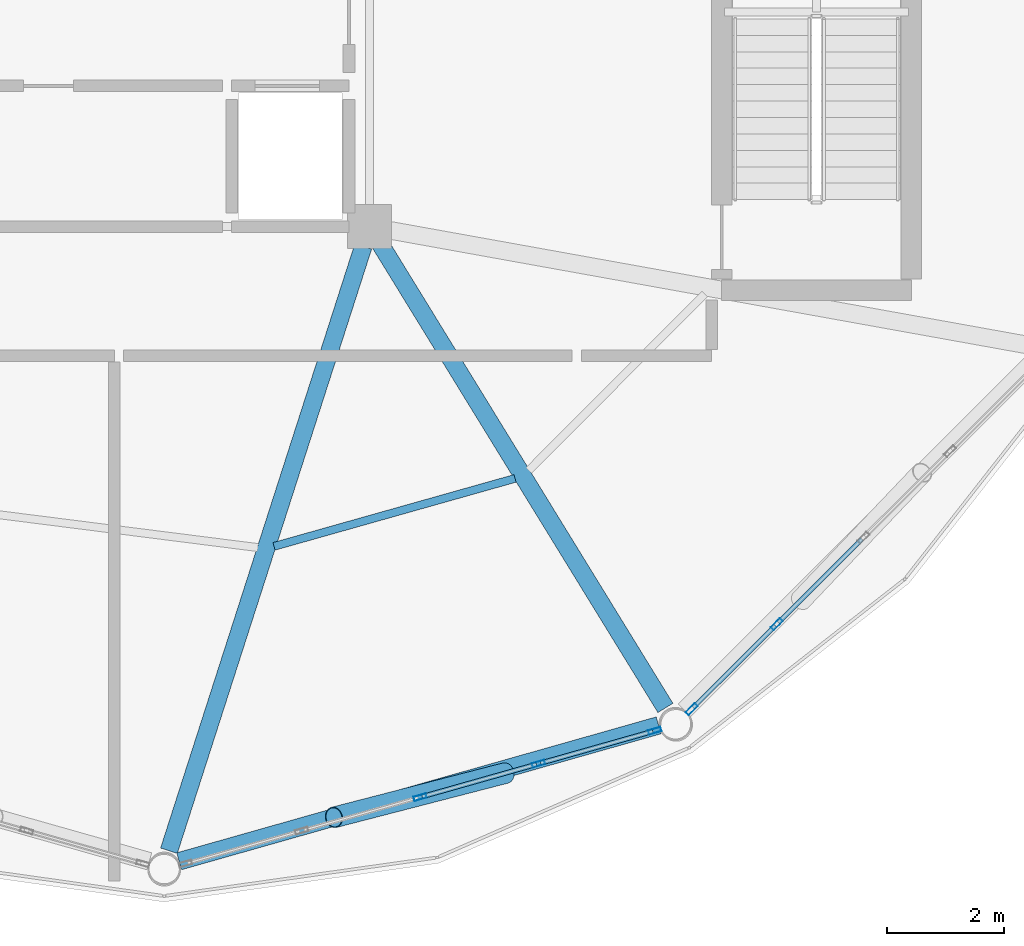
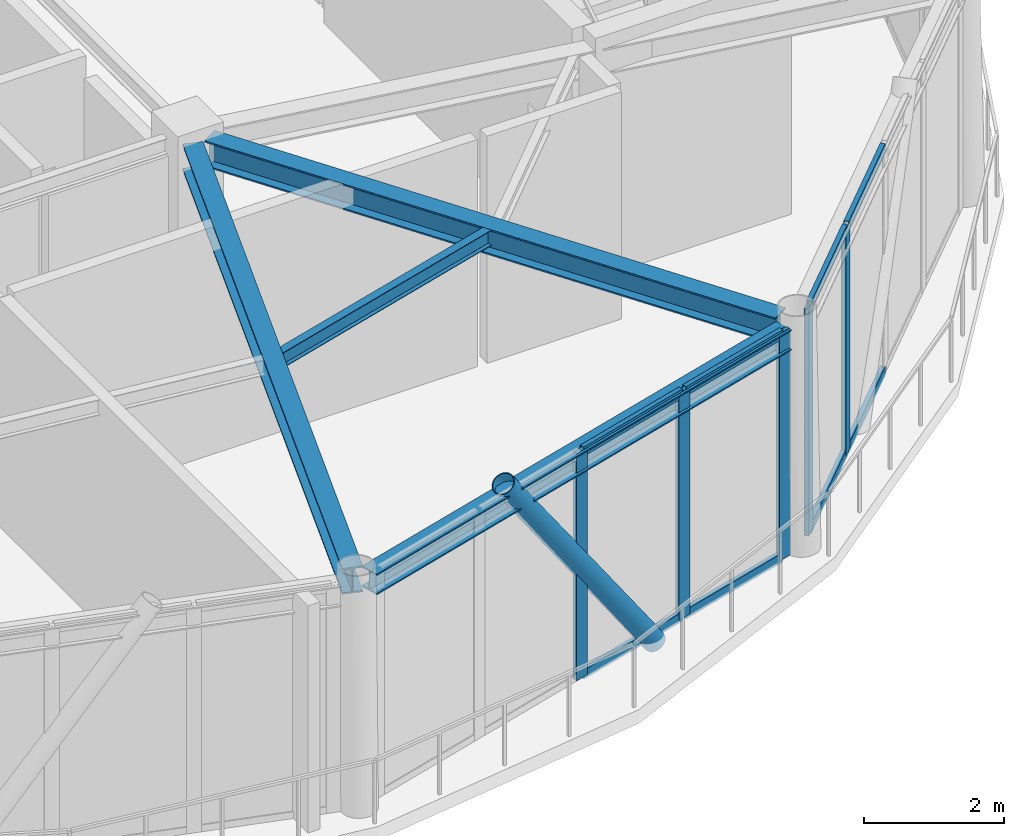
# One storey, part 6 of 21: 14 members, 4 beams, 2 elements without a shape of their own.
"""IFC4 building model written with IfcOpenShell, lengths in metres."""

from ifc_helpers import new_model, si_unit, direction, frame, origin, origin_2d, place, context, subcontext, project, spatial, hollow_rectangle, hollow_circle, i_section, extrude, material, layer, layer_set, material_profile, profile_set, type_object, element, aggregate, save


model = new_model("IFC4")

# Units and contexts
model_context = context("Model", 3, precision=1e-05, world=origin(), true_north=direction((0.0, 1.0)))
body_context = subcontext(model_context, "Body", "Model", "MODEL_VIEW")
ifc_project = project(units=[si_unit("LENGTHUNIT", "METRE"), si_unit("AREAUNIT", "SQUARE_METRE"), si_unit("VOLUMEUNIT", "CUBIC_METRE"), si_unit("PLANEANGLEUNIT", "RADIAN"), si_unit("MASSUNIT", "GRAM", prefix="KILO")], contexts=[model_context])

# Site, building, storey
site_placement = place(None, origin())
site = spatial("IfcSite", under=ifc_project, at=site_placement, CompositionType="ELEMENT")
building_placement = place(site_placement, origin())
building = spatial("IfcBuilding", under=site, at=building_placement, Name="Varnakorn Sky Granary", CompositionType="ELEMENT")
storey_placement = place(building_placement, frame((0.0, 0.0, 298.199951171875)))
storey = spatial("IfcBuildingStorey", under=building, at=storey_placement, Name="L76", CompositionType="ELEMENT", Elevation=298.199951171875)

# Beams
ifc_material_1 = material(Name="Steel S355JR", Category="steel")
ifc_material_profile_1 = material_profile(ifc_material_1, i_section(OverallWidth=0.300048828125, OverallDepth=0.449951171875, WebThickness=0.013916015625, FlangeThickness=0.02587890625, at=origin_2d()), Name="HE 450 B")
ifc_profile_set_1 = profile_set([ifc_material_profile_1], Name="Steel S355JR")
beam_type_1 = type_object("IfcBeamType", Name="BM-RAD-Z5", PredefinedType="BEAM", material=ifc_profile_set_1)
beam_1_placement = place(storey_placement, frame((8.2412109375, -6.93798828125, 3.735107421875), z_axis=(-0.306078597397, -0.952006245891, 0.0), x_axis=(0.952006245891, -0.306078597397, 0.0)))
element("IfcBeam", 1, at=beam_1_placement, inside=storey, type_object=beam_type_1, Name="Radial Floor Girder RG10 L76", PredefinedType="BEAM", context=body_context, shape_type="SweptSolid", body=[
    extrude(i_section(OverallWidth=0.300048828125, OverallDepth=0.449951171875, WebThickness=0.013916015625, FlangeThickness=0.02587890625, at=origin_2d()), origin(), (0.0, 0.0, 1.0), 10.815185546875),
])
beam_2_placement = place(storey_placement, frame((8.535888671875, -6.90234375, 3.735107421875), z_axis=(0.523609553712, -0.851958353009, 0.0), x_axis=(0.851958353009, 0.523609553712, 0.0)))
element("IfcBeam", 2, at=beam_2_placement, inside=storey, type_object=beam_type_1, Name="Radial Floor Girder RG11 L76", PredefinedType="BEAM", context=body_context, shape_type="SweptSolid", body=[
    extrude(i_section(OverallWidth=0.300048828125, OverallDepth=0.449951171875, WebThickness=0.013916015625, FlangeThickness=0.02587890625, at=origin_2d()), origin(), (0.0, 0.0, 1.0), 9.271240234375),
])
ifc_material_profile_2 = material_profile(ifc_material_1, i_section(OverallWidth=0.135009765625, OverallDepth=0.27001953125, WebThickness=0.006591796875, FlangeThickness=0.01025390625, at=origin_2d()), Name="IPE 270")
ifc_profile_set_2 = profile_set([ifc_material_profile_2], Name="Steel S355JR")
beam_type_2 = type_object("IfcBeamType", Name="BM-SEC-Z5", PredefinedType="BEAM", material=ifc_profile_set_2)
beam_3_placement = place(storey_placement, frame((6.720947265625, -12.048095703125, 3.824951171875), z_axis=(0.962457339964, 0.271432991271, 0.0), x_axis=(-0.271432991271, 0.962457339964, 0.0)))
element("IfcBeam", 3, at=beam_3_placement, inside=storey, type_object=beam_type_2, Name="Secondary Floor Chord Beam MSB10 L76", PredefinedType="BEAM", context=body_context, shape_type="SweptSolid", body=[
    extrude(i_section(OverallWidth=0.135009765625, OverallDepth=0.27001953125, WebThickness=0.006591796875, FlangeThickness=0.01025390625, at=origin_2d()), origin(), (0.0, 0.0, 1.0), 4.267822265625),
])
ifc_material_profile_3 = material_profile(ifc_material_1, i_section(OverallWidth=0.300048828125, OverallDepth=0.360107421875, WebThickness=0.012451171875, FlangeThickness=0.0224609375, at=origin_2d()), Name="HE 360 B")
ifc_profile_set_3 = profile_set([ifc_material_profile_3], Name="Steel S355JR")
beam_type_3 = type_object("IfcBeamType", Name="BM-SPD-Z5", PredefinedType="SPANDREL", material=ifc_profile_set_3)
beam_4_placement = place(storey_placement, frame((5.1044921875, -17.413818359375, 3.780029296875), z_axis=(0.962107621006, 0.272669993952, 0.0), x_axis=(-0.272669993952, 0.962107621006, 0.0)))
element("IfcBeam", 4, at=beam_4_placement, inside=storey, type_object=beam_type_3, Name="Perimeter Spandrel Ring Beam RB10 L76", PredefinedType="SPANDREL", context=body_context, shape_type="SweptSolid", body=[
    extrude(i_section(OverallWidth=0.300048828125, OverallDepth=0.360107421875, WebThickness=0.012451171875, FlangeThickness=0.0224609375, at=origin_2d()), origin(), (0.0, 0.0, 1.0), 8.49169921875),
])

# Curtain wall, members
ifc_material_2 = material(Name="Anodised Bronze Aluminium Alloy 6063-T6", Category="aluminium")
ifc_layer = layer(ifc_material_2, 0.22998046875, Name="Anodised Bronze Aluminium Alloy 6063-T6")
ifc_layer_set = layer_set([ifc_layer], Name="Anodised Bronze Aluminium Alloy 6063-T6")
curtain_wall_type = type_object("IfcCurtainWallType", Name="CW-LNT-1", PredefinedType="USERDEFINED", material=ifc_layer_set)
curtain_wall_1_placement = place(storey_placement, origin())
curtain_wall_1 = element("IfcCurtainWall", 5, at=curtain_wall_1_placement, inside=storey, type_object=curtain_wall_type, Name="Unitised Curtain Wall CW7 CW-L76-B10", ObjectType="CURTAIN WALL", PredefinedType="USERDEFINED")
ifc_material_profile_4 = material_profile(ifc_material_2, hollow_rectangle(XDim=0.074951171875, YDim=0.219970703125, WallThickness=0.00390625, at=origin_2d()), Name="ALU MULL 75x220")
ifc_profile_set_4 = profile_set([ifc_material_profile_4], Name="Anodised Bronze Aluminium Alloy 6063-T6")
member_type_1 = type_object("IfcMemberType", Name="CW-LNT-1-MULL", PredefinedType="MULLION", material=ifc_profile_set_4)
member_1_placement = place(storey_placement, frame((13.209228515625, -15.190673828125, 0.0), z_axis=(0.0, 0.0, 1.0), x_axis=(0.272381418723, -0.962189359084, 0.0)))
member_1 = element("IfcMember", 6, at=member_1_placement, type_object=member_type_1, Name="CW7 mullion 1", PredefinedType="MULLION", context=body_context, shape_type="SweptSolid", body=[
    extrude(hollow_rectangle(XDim=0.074951171875, YDim=0.219970703125, WallThickness=0.00390625, at=origin_2d()), origin(), (0.0, 0.0, 1.0), 3.9599609375),
])
member_2_placement = place(storey_placement, frame((11.228271484375, -15.75146484375, 0.0), z_axis=(0.0, 0.0, 1.0), x_axis=(0.272381418723, -0.962189359084, 0.0)))
member_2 = element("IfcMember", 7, at=member_2_placement, type_object=member_type_1, Name="CW7 mullion 2", PredefinedType="MULLION", context=body_context, shape_type="SweptSolid", body=[
    extrude(hollow_rectangle(XDim=0.074951171875, YDim=0.219970703125, WallThickness=0.00390625, at=origin_2d()), origin(), (0.0, 0.0, 1.0), 3.9599609375),
])
member_3_placement = place(storey_placement, frame((9.2109375, -16.322509765625, 0.0), z_axis=(0.0, 0.0, 1.0), x_axis=(0.272381418723, -0.962189359084, 0.0)))
member_3 = element("IfcMember", 8, at=member_3_placement, type_object=member_type_1, Name="CW7 mullion 3", PredefinedType="MULLION", context=body_context, shape_type="SweptSolid", body=[
    extrude(hollow_rectangle(XDim=0.074951171875, YDim=0.219970703125, WallThickness=0.00390625, at=origin_2d()), origin(), (0.0, 0.0, 1.0), 3.9599609375),
])

curtain_wall_2_placement = place(storey_placement, origin())
curtain_wall_2 = element("IfcCurtainWall", 9, at=curtain_wall_2_placement, inside=storey, type_object=curtain_wall_type, Name="Unitised Curtain Wall CW7 CW-L76-B11", ObjectType="CURTAIN WALL", PredefinedType="USERDEFINED")
member_4_placement = place(storey_placement, frame((15.288330078125, -13.373779296875, 0.0), z_axis=(0.0, 0.0, 1.0), x_axis=(0.706663262546, -0.707550021813, 0.0)))
member_4 = element("IfcMember", 10, at=member_4_placement, type_object=member_type_1, Name="CW7 mullion 4", PredefinedType="MULLION", context=body_context, shape_type="SweptSolid", body=[
    extrude(hollow_rectangle(XDim=0.074951171875, YDim=0.219970703125, WallThickness=0.00390625, at=origin_2d()), origin(), (0.0, 0.0, 1.0), 3.9599609375),
])
member_5_placement = place(storey_placement, frame((13.838623046875, -14.821533203125, 0.0), z_axis=(0.0, 0.0, 1.0), x_axis=(0.706663262546, -0.707550021813, 0.0)))
member_5 = element("IfcMember", 11, at=member_5_placement, type_object=member_type_1, Name="CW7 mullion 5", PredefinedType="MULLION", context=body_context, shape_type="SweptSolid", body=[
    extrude(hollow_rectangle(XDim=0.074951171875, YDim=0.219970703125, WallThickness=0.00390625, at=origin_2d()), origin(), (0.0, 0.0, 1.0), 3.9599609375),
])

# Member
ifc_material_profile_5 = material_profile(ifc_material_2, hollow_rectangle(XDim=0.074951171875, YDim=0.159912109375, WallThickness=0.00390625, at=origin_2d()), Name="ALU TRAN 75x160")
ifc_profile_set_5 = profile_set([ifc_material_profile_5], Name="Anodised Bronze Aluminium Alloy 6063-T6")
member_type_2 = type_object("IfcMemberType", Name="CW-LNT-1-TRAN", PredefinedType="USERDEFINED", material=ifc_profile_set_5)
member_6_placement = place(storey_placement, frame((13.173095703125, -15.200927734375, 0.03759765625), z_axis=(-0.962203612173, -0.272331064553, 0.0), x_axis=(0.272331064553, -0.962203612173, 0.0)))
member_6 = element("IfcMember", 12, at=member_6_placement, type_object=member_type_2, Name="CW7 transom 1.1", ObjectType="TRANSOM", PredefinedType="USERDEFINED", context=body_context, shape_type="SweptSolid", body=[
    extrude(hollow_rectangle(XDim=0.074951171875, YDim=0.159912109375, WallThickness=0.00390625, at=origin_2d()), origin(), (0.0, 0.0, 1.0), 1.98388671875),
])

member_7_placement = place(storey_placement, frame((13.173095703125, -15.200927734375, 3.922607421875), z_axis=(-0.962203612173, -0.272331064553, 0.0), x_axis=(0.272331064553, -0.962203612173, 0.0)))
member_7 = element("IfcMember", 13, at=member_7_placement, type_object=member_type_2, Name="CW7 transom 1.2", ObjectType="TRANSOM", PredefinedType="USERDEFINED", context=body_context, shape_type="SweptSolid", body=[
    extrude(hollow_rectangle(XDim=0.074951171875, YDim=0.159912109375, WallThickness=0.00390625, at=origin_2d()), origin(), (0.0, 0.0, 1.0), 1.98388671875),
])

member_8_placement = place(storey_placement, frame((11.192138671875, -15.76171875, 0.03759765625), z_axis=(-0.962200074604, -0.272343563227, 0.0), x_axis=(0.272343563227, -0.962200074604, 0.0)))
member_8 = element("IfcMember", 14, at=member_8_placement, type_object=member_type_2, Name="CW7 transom 2.1", ObjectType="TRANSOM", PredefinedType="USERDEFINED", context=body_context, shape_type="SweptSolid", body=[
    extrude(hollow_rectangle(XDim=0.074951171875, YDim=0.159912109375, WallThickness=0.00390625, at=origin_2d()), origin(), (0.0, 0.0, 1.0), 2.021484375),
])

member_9_placement = place(storey_placement, frame((11.192138671875, -15.76171875, 3.922607421875), z_axis=(-0.962200074604, -0.272343563227, 0.0), x_axis=(0.272343563227, -0.962200074604, 0.0)))
member_9 = element("IfcMember", 15, at=member_9_placement, type_object=member_type_2, Name="CW7 transom 2.2", ObjectType="TRANSOM", PredefinedType="USERDEFINED", context=body_context, shape_type="SweptSolid", body=[
    extrude(hollow_rectangle(XDim=0.074951171875, YDim=0.159912109375, WallThickness=0.00390625, at=origin_2d()), origin(), (0.0, 0.0, 1.0), 2.021484375),
])

aggregate(curtain_wall_1, [member_1, member_2, member_3, member_6, member_7, member_8, member_9])

member_10_placement = place(storey_placement, frame((16.738037109375, -11.926025390625, 0.03759765625), z_axis=(-0.707592181242, -0.706621047694, 0.0), x_axis=(0.706621047694, -0.707592181242, 0.0)))
member_10 = element("IfcMember", 16, at=member_10_placement, type_object=member_type_2, Name="CW7 transom 3.1", ObjectType="TRANSOM", PredefinedType="USERDEFINED", context=body_context, shape_type="SweptSolid", body=[
    extrude(hollow_rectangle(XDim=0.074951171875, YDim=0.159912109375, WallThickness=0.00390625, at=origin_2d()), origin(), (0.0, 0.0, 1.0), 2.01123046875),
])

member_11_placement = place(storey_placement, frame((16.738037109375, -11.926025390625, 3.922607421875), z_axis=(-0.707592181242, -0.706621047694, 0.0), x_axis=(0.706621047694, -0.707592181242, 0.0)))
member_11 = element("IfcMember", 17, at=member_11_placement, type_object=member_type_2, Name="CW7 transom 3.2", ObjectType="TRANSOM", PredefinedType="USERDEFINED", context=body_context, shape_type="SweptSolid", body=[
    extrude(hollow_rectangle(XDim=0.074951171875, YDim=0.159912109375, WallThickness=0.00390625, at=origin_2d()), origin(), (0.0, 0.0, 1.0), 2.01123046875),
])

member_12_placement = place(storey_placement, frame((15.26171875, -13.400146484375, 0.03759765625), z_axis=(-0.707539583712, -0.706673713592, 0.0), x_axis=(0.706673713592, -0.707539583712, 0.0)))
member_12 = element("IfcMember", 18, at=member_12_placement, type_object=member_type_2, Name="CW7 transom 4.1", ObjectType="TRANSOM", PredefinedType="USERDEFINED", context=body_context, shape_type="SweptSolid", body=[
    extrude(hollow_rectangle(XDim=0.074951171875, YDim=0.159912109375, WallThickness=0.00390625, at=origin_2d()), origin(), (0.0, 0.0, 1.0), 1.9736328125),
])

member_13_placement = place(storey_placement, frame((15.26171875, -13.400146484375, 3.922607421875), z_axis=(-0.707539583712, -0.706673713592, 0.0), x_axis=(0.706673713592, -0.707539583712, 0.0)))
member_13 = element("IfcMember", 19, at=member_13_placement, type_object=member_type_2, Name="CW7 transom 4.2", ObjectType="TRANSOM", PredefinedType="USERDEFINED", context=body_context, shape_type="SweptSolid", body=[
    extrude(hollow_rectangle(XDim=0.074951171875, YDim=0.159912109375, WallThickness=0.00390625, at=origin_2d()), origin(), (0.0, 0.0, 1.0), 1.9736328125),
])

aggregate(curtain_wall_2, [member_4, member_5, member_10, member_11, member_12, member_13])

ifc_material_3 = material(Name="Steel S460M", Category="steel")
ifc_material_profile_6 = material_profile(ifc_material_3, hollow_circle(Radius=0.177734375, WallThickness=0.01416015625, at=origin_2d()), Name="CHS 355.6x14")
ifc_profile_set_6 = profile_set([ifc_material_profile_6], Name="Steel S460M")
member_type_3 = type_object("IfcMemberType", Name="MB-DIAG-T5", PredefinedType="BRACE", material=ifc_profile_set_6)
member_14_placement = place(storey_placement, frame((10.664794921875, -15.910888671875, -0.1298828125), z_axis=(-0.563194762976, -0.145551587724, 0.813404201039), x_axis=(0.250218091694, -0.968189499318, 0.0)))
element("IfcMember", 20, at=member_14_placement, inside=storey, type_object=member_type_3, Name="Perimeter CHS Diagrid Brace DG10 L76", PredefinedType="BRACE", context=body_context, shape_type="SweptSolid", body=[
    extrude(hollow_circle(Radius=0.177734375, WallThickness=0.01416015625, at=origin_2d()), origin(), (0.0, 0.0, 1.0), 5.18798828125),
])

save(model, "model.ifc")
